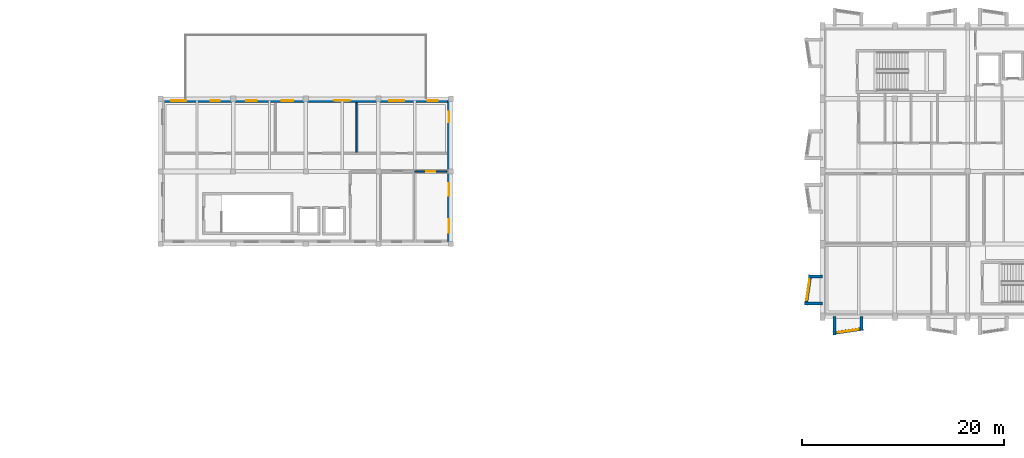
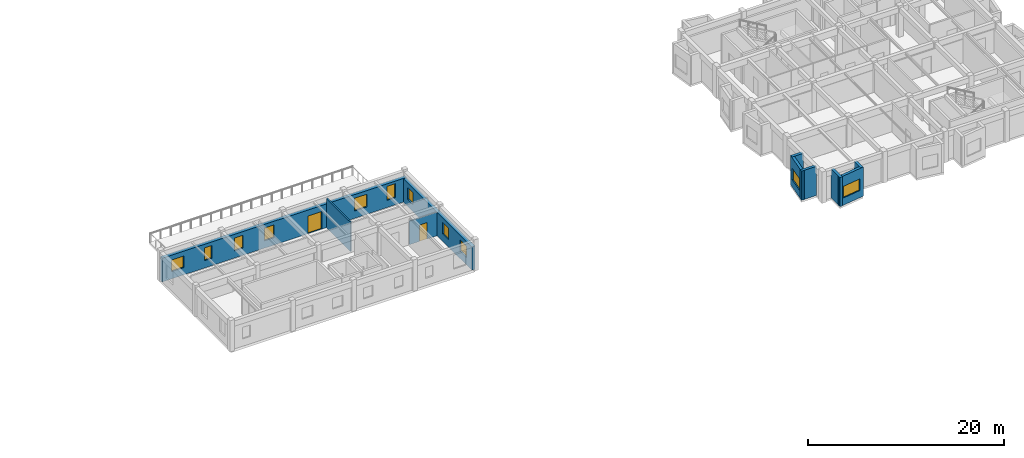
# One storey, part 5 of 12: 11 windows, 10 walls, 2 doors, 13 openings.
"""IFC4 building model written with IfcOpenShell, lengths in metres."""

import ifcopenshell
import ifcopenshell.guid

model = None  # the IFC model being written
_history = None  # IfcOwnerHistory: only IFC2X3 demands one
_inside = {}  # id of a spatial element -> (the spatial element, [elements in it])
_under = {}  # id of a project, library or spatial element -> (it, [spatial elements below it])
_declared = {}  # id of a project -> (the project, [libraries it declares])
_typed = {}  # id of a type object -> (the type object, [elements of that type])
_made_of = {}  # id of a material, layer set ... -> (it, [elements and type objects made of it])


def new_model(schema):
    """Start an empty IFC model of exactly this schema.

    Asked for "IFC4X3", IfcOpenShell would pick the latest addendum, in which some entities
    have other attributes; the version numbers below select the first issue.
    IFC2X3 requires an IfcOwnerHistory on every rooted entity: one is made here for all.
    """
    global model, _history
    if schema == "IFC4X3":
        model = ifcopenshell.file(schema_version=(4, 3, 0, 0))
    else:
        model = ifcopenshell.file(schema=schema)
    _inside.clear()
    _under.clear()
    _declared.clear()
    _typed.clear()
    _made_of.clear()
    _history = None
    if model.schema == "IFC2X3":
        org = make("IfcOrganization", Name="unknown")
        user = make(
            "IfcPersonAndOrganization",
            ThePerson=make("IfcPerson", FamilyName="unknown"),
            TheOrganization=org,
        )
        app = make(
            "IfcApplication",
            ApplicationDeveloper=org,
            Version="unknown",
            ApplicationFullName="unknown",
            ApplicationIdentifier="unknown",
        )
        _history = make(
            "IfcOwnerHistory",
            OwningUser=user,
            OwningApplication=app,
            ChangeAction="ADDED",
            CreationDate=0,
        )
    return model


def make(cls, **values):
    """One entity of the class cls with the attributes given. An attribute that is None is left unset."""
    return model.create_entity(
        cls, **{name: value for name, value in values.items() if value is not None}
    )


def rooted(cls, **values):
    """An entity with a GlobalId (a new one), such as an element, a storey or a relation."""
    return make(cls, GlobalId=ifcopenshell.guid.new(), OwnerHistory=_history, **values)


def si_unit(unit_type, name, prefix=None):
    """IfcSIUnit, for example si_unit("LENGTHUNIT", "METRE", prefix="MILLI")."""
    return make("IfcSIUnit", UnitType=unit_type, Prefix=prefix, Name=name)


def assignment(units):
    """IfcUnitAssignment: the units of a project."""
    return None if units is None else make("IfcUnitAssignment", Units=units)


def point(xyz):
    """IfcCartesianPoint."""
    return None if xyz is None else make("IfcCartesianPoint", Coordinates=xyz)


def direction(xyz):
    """IfcDirection."""
    return None if xyz is None else make("IfcDirection", DirectionRatios=xyz)


def frame(location, z_axis=None, x_axis=None):
    """IfcAxis2Placement3D, a coordinate frame: its origin and axes. An axis left out is left unset."""
    return make(
        "IfcAxis2Placement3D",
        Location=point(location),
        Axis=direction(z_axis),
        RefDirection=direction(x_axis),
    )


def frame_2d(location, x_axis=None):
    """IfcAxis2Placement2D, a coordinate frame in the plane: its origin and x axis."""
    return make(
        "IfcAxis2Placement2D", Location=point(location), RefDirection=direction(x_axis)
    )


def origin():
    """The frame at (0, 0, 0) with its axes left unset."""
    return frame((0.0, 0.0, 0.0))


def place(relative_to, where):
    """IfcLocalPlacement: puts the frame where relative to a parent placement (None: the world)."""
    return make(
        "IfcLocalPlacement", PlacementRelTo=relative_to, RelativePlacement=where
    )


def context(
    kind, dimensions, precision=None, world=None, true_north=None, identifier=None
):
    """IfcGeometricRepresentationContext, for example the 3D "Model" context."""
    return make(
        "IfcGeometricRepresentationContext",
        ContextIdentifier=identifier,
        ContextType=kind,
        CoordinateSpaceDimension=dimensions,
        Precision=precision,
        WorldCoordinateSystem=world,
        TrueNorth=true_north,
    )


def subcontext(parent, identifier, kind, view, scale=None):
    """IfcGeometricRepresentationSubContext, for example "Body" below "Model"."""
    return make(
        "IfcGeometricRepresentationSubContext",
        ContextIdentifier=identifier,
        ContextType=kind,
        ParentContext=parent,
        TargetScale=scale,
        TargetView=view,
    )


def project(units=None, contexts=None):
    """IfcProject with its units and contexts."""
    return rooted(
        "IfcProject",
        Name="project",
        RepresentationContexts=contexts,
        UnitsInContext=assignment(units),
    )


def spatial(cls, under=None, at=None, **own):
    """A site, building, storey or space (cls), placed at a placement, below another one or the project."""
    s = rooted(cls, ObjectPlacement=at, **own)
    if under is not None:
        _under.setdefault(under.id(), (under, []))[1].append(s)
    return s


def profile(cls, at=None, kind="AREA", **sizes):
    """A parametric profile (cls). Its sizes go by their IFC names, for example OverallWidth=200.0."""
    return make(cls, ProfileType=kind, Position=at, **sizes)


def rectangle(**sizes):
    """IfcRectangleProfileDef."""
    return profile("IfcRectangleProfileDef", **sizes)


def extrude(swept, where, along, depth):
    """IfcExtrudedAreaSolid: the profile swept, set in the frame where, extruded along a direction by depth."""
    return make(
        "IfcExtrudedAreaSolid",
        SweptArea=swept,
        Position=where,
        ExtrudedDirection=direction(along),
        Depth=depth,
    )


def shape(context_of_items, identifier, shape_type, items):
    """IfcShapeRepresentation: the items that make up one representation, for example the "Body"."""
    return make(
        "IfcShapeRepresentation",
        ContextOfItems=context_of_items,
        RepresentationIdentifier=identifier,
        RepresentationType=shape_type,
        Items=items,
    )


def material(Name=None, Category=None):
    """IfcMaterial."""
    return make("IfcMaterial", Name=Name, Category=Category)


def layer(
    of_material, thickness, ventilated=None, Name=None, Category=None, Priority=None
):
    """IfcMaterialLayer: one layer of a wall or slab, of a material (None: an air gap)."""
    return make(
        "IfcMaterialLayer",
        Material=of_material,
        LayerThickness=thickness,
        IsVentilated=ventilated,
        Name=Name,
        Category=Category,
        Priority=Priority,
    )


def layer_set(layers, Name=None):
    """IfcMaterialLayerSet."""
    return make("IfcMaterialLayerSet", MaterialLayers=layers, LayerSetName=Name)


def made_of(thing, what):
    """Note that an element or type object is made of a material, layer set ...; save() writes the relation."""
    if what is not None:
        _made_of.setdefault(what.id(), (what, []))[1].append(thing)
    return thing


def type_object(cls, material=None, **own):
    """A type object (cls), such as IfcWallType, which elements share."""
    return made_of(rooted(cls, **own), material)


def element(
    cls,
    number,
    at=None,
    inside=None,
    cuts=None,
    type_object=None,
    material=None,
    context=None,
    identifier="Body",
    shape_type=None,
    held_by="IfcProductDefinitionShape",
    body=None,
    shapes=None,
    **own,
):
    """One element of the class cls, such as IfcWall. Its Tag is "e" and its number.

    at: its placement. inside: the storey or other place that contains it. cuts: it is an
    opening in that element (IfcRelVoidsElement). A single representation is given by context,
    identifier, shape_type and body (its items); several are given by shapes. held_by: the class
    of the entity that holds the representations. save() writes the other relations.
    """
    e = rooted(cls, Tag="e%d" % number, ObjectPlacement=at, **own)
    if body is not None:
        shapes = [shape(context, identifier, shape_type, body)]
    if shapes is not None:
        e.Representation = make(held_by, Representations=shapes)
    if inside is not None:
        _inside.setdefault(inside.id(), (inside, []))[1].append(e)
    if cuts is not None:
        rooted(
            "IfcRelVoidsElement", RelatingBuildingElement=cuts, RelatedOpeningElement=e
        )
    if type_object is not None:
        _typed.setdefault(type_object.id(), (type_object, []))[1].append(e)
    return made_of(e, material)


def fill(opening, filler):
    """IfcRelFillsElement: the door or window that sits in an opening."""
    return rooted(
        "IfcRelFillsElement",
        RelatingOpeningElement=opening,
        RelatedBuildingElement=filler,
    )


def aggregate(whole, parts):
    """IfcRelAggregates: a whole, such as a stair, and the parts it consists of."""
    return rooted("IfcRelAggregates", RelatingObject=whole, RelatedObjects=parts)


def save(model, path):
    """Write the relations noted so far, then the file.

    IfcRelAggregates (storeys below a building ...), IfcRelContainedInSpatialStructure (elements
    in a storey), IfcRelDefinesByType, IfcRelAssociatesMaterial and IfcRelDeclares: one each for
    every whole, place, type object, material and project.
    """
    for whole, parts in _under.values():
        aggregate(whole, parts)
    for where, things in _inside.values():
        rooted(
            "IfcRelContainedInSpatialStructure",
            RelatedElements=things,
            RelatingStructure=where,
        )
    for kind, things in _typed.values():
        rooted("IfcRelDefinesByType", RelatedObjects=things, RelatingType=kind)
    for what, things in _made_of.values():
        rooted("IfcRelAssociatesMaterial", RelatedObjects=things, RelatingMaterial=what)
    for by, libraries in _declared.values():
        rooted("IfcRelDeclares", RelatingContext=by, RelatedDefinitions=libraries)
    model.write(path)


model = new_model("IFC4")

# Units and contexts
model_context = context("Model", 3, precision=1e-05, world=origin(), true_north=direction((0.0, 1.0)))
body_context = subcontext(model_context, "Body", "Model", "MODEL_VIEW")
ifc_project = project(units=[si_unit("LENGTHUNIT", "METRE"), si_unit("AREAUNIT", "SQUARE_METRE"), si_unit("VOLUMEUNIT", "CUBIC_METRE"), si_unit("PLANEANGLEUNIT", "RADIAN"), si_unit("MASSUNIT", "GRAM", prefix="KILO")], contexts=[model_context])

# Site, building, storey
site_placement = place(None, origin())
site = spatial("IfcSite", under=ifc_project, at=site_placement, CompositionType="ELEMENT")
building_placement = place(site_placement, origin())
building = spatial("IfcBuilding", under=site, at=building_placement, Name="Bramveld Media Centre", CompositionType="ELEMENT")
storey_placement = place(building_placement, frame((0.0, 0.0, 21.89990234375)))
storey = spatial("IfcBuildingStorey", under=building, at=storey_placement, Name="L05", CompositionType="ELEMENT", Elevation=21.89990234375)

# Wall, openings, windows
ifc_material_1 = material(Name="Flemish red-brown clay facing brick cavity wall with calcium-silicate backing", Category="masonry")
ifc_layer_1 = layer(ifc_material_1, 0.3798828125)
ifc_layer_set_1 = layer_set([ifc_layer_1], Name="Flemish red-brown clay facing brick cavity wall with calcium-silicate backing")
wall_type_1 = type_object("IfcWallType", Name="EW-BRK-380", PredefinedType="SOLIDWALL", material=ifc_layer_set_1)
wall_1_placement = place(storey_placement, frame((94.2099609375, 104.800048828125, 0.0), z_axis=(0.0, 0.0, 1.0), x_axis=(0.0, -1.0, 0.0)))
wall_1 = element("IfcWall", 1, at=wall_1_placement, inside=storey, type_object=wall_type_1, Name="V6 L05 E facing brick exterior wall", PredefinedType="SOLIDWALL", context=body_context, shape_type="SweptSolid", body=[
    extrude(rectangle(XDim=14.400146484375, YDim=0.3798828125, at=frame_2d((7.2001953125, 0.0))), origin(), (0.0, 0.0, 1.0), 2.9150390625),
])
opening_1_placement = place(wall_1_placement, frame((1.27490234375, 0.0, 0.89990234375)))
opening_1 = element("IfcOpeningElement", 2, at=opening_1_placement, cuts=wall_1, Name="Opening W-08", PredefinedType="OPENING", context=body_context, shape_type="SweptSolid", body=[
    extrude(rectangle(XDim=1.050048828125, YDim=1.449951171875, at=frame_2d((0.52490234375, 0.72509765625))), frame((0.0, 0.201904296875, 0.0), z_axis=(0.0, -1.0, 0.0), x_axis=(1.0, 0.0, 0.0)), (0.0, 0.0, 1.0), 0.40380859375),
])
opening_2_placement = place(wall_1_placement, frame((8.375, 0.0, 0.89990234375)))
opening_2 = element("IfcOpeningElement", 3, at=opening_2_placement, cuts=wall_1, Name="Opening W-10", PredefinedType="OPENING", context=body_context, shape_type="SweptSolid", body=[
    extrude(rectangle(XDim=1.25, YDim=1.449951171875, at=frame_2d((0.625, 0.72509765625))), frame((0.0, 0.201904296875, 0.0), z_axis=(0.0, -1.0, 0.0), x_axis=(1.0, 0.0, 0.0)), (0.0, 0.0, 1.0), 0.40380859375),
])
opening_3_placement = place(wall_1_placement, frame((11.925048828125, 0.0, 0.89990234375)))
opening_3 = element("IfcOpeningElement", 4, at=opening_3_placement, cuts=wall_1, Name="Opening W-11", PredefinedType="OPENING", context=body_context, shape_type="SweptSolid", body=[
    extrude(rectangle(XDim=1.35009765625, YDim=1.449951171875, at=frame_2d((0.675048828125, 0.72509765625))), frame((0.0, 0.201904296875, 0.0), z_axis=(0.0, -1.0, 0.0), x_axis=(1.0, 0.0, 0.0)), (0.0, 0.0, 1.0), 0.40380859375),
])
ifc_material_2 = material(Name="Thermally broken anodized bronze aluminium frame with triple acoustic glazing", Category="aluminium")
window_type_1 = type_object("IfcWindowType", Name="WIN-FAC-08", PartitioningType="SINGLE_PANEL", PredefinedType="WINDOW", material=ifc_material_2)
window_1_placement = place(opening_1_placement, origin())
window_1 = element("IfcWindow", 5, at=window_1_placement, inside=storey, type_object=window_type_1, Name="V6 L05 E acoustic facade window", OverallHeight=1.449951171875, OverallWidth=1.050048828125, PartitioningType="SINGLE_PANEL", PredefinedType="WINDOW", context=body_context, shape_type="SweptSolid", body=[
    extrude(rectangle(XDim=1.050048828125, YDim=1.449951171875, at=frame_2d((0.52490234375, 0.72509765625))), frame((0.0, 0.030029296875, 0.0), z_axis=(0.0, -1.0, 0.0), x_axis=(1.0, 0.0, 0.0)), (0.0, 0.0, 1.0), 0.06005859375),
])
fill(opening_1, window_1)
ifc_material_3 = material(Name="Thermally broken anodized bronze aluminium frame with triple acoustic glazing", Category="aluminium")
window_type_2 = type_object("IfcWindowType", Name="WIN-FAC-10", PartitioningType="SINGLE_PANEL", PredefinedType="WINDOW", material=ifc_material_3)
window_2_placement = place(opening_2_placement, origin())
window_2 = element("IfcWindow", 6, at=window_2_placement, inside=storey, type_object=window_type_2, Name="V6 L05 E acoustic facade window", OverallHeight=1.449951171875, OverallWidth=1.25, PartitioningType="SINGLE_PANEL", PredefinedType="WINDOW", context=body_context, shape_type="SweptSolid", body=[
    extrude(rectangle(XDim=1.25, YDim=1.449951171875, at=frame_2d((0.625, 0.72509765625))), frame((0.0, 0.030029296875, 0.0), z_axis=(0.0, -1.0, 0.0), x_axis=(1.0, 0.0, 0.0)), (0.0, 0.0, 1.0), 0.06005859375),
])
fill(opening_2, window_2)
ifc_material_4 = material(Name="Thermally broken anodized bronze aluminium frame with triple acoustic glazing", Category="aluminium")
window_type_3 = type_object("IfcWindowType", Name="WIN-FAC-11", PartitioningType="SINGLE_PANEL", PredefinedType="WINDOW", material=ifc_material_4)
window_3_placement = place(opening_3_placement, origin())
window_3 = element("IfcWindow", 7, at=window_3_placement, inside=storey, type_object=window_type_3, Name="V6 L05 E acoustic facade window", OverallHeight=1.449951171875, OverallWidth=1.35009765625, PartitioningType="SINGLE_PANEL", PredefinedType="WINDOW", context=body_context, shape_type="SweptSolid", body=[
    extrude(rectangle(XDim=1.35009765625, YDim=1.449951171875, at=frame_2d((0.675048828125, 0.72509765625))), frame((0.0, 0.030029296875, 0.0), z_axis=(0.0, -1.0, 0.0), x_axis=(1.0, 0.0, 0.0)), (0.0, 0.0, 1.0), 0.06005859375),
])
fill(opening_3, window_3)

# Wall, openings, door, windows
wall_2_placement = place(storey_placement, frame((65.60009765625, 104.610107421875, 0.0), z_axis=(0.0, 0.0, 1.0), x_axis=(1.0, 0.0, 0.0)))
wall_2 = element("IfcWall", 8, at=wall_2_placement, inside=storey, type_object=wall_type_1, Name="V6 L05 N facing brick exterior wall", PredefinedType="SOLIDWALL", context=body_context, shape_type="SweptSolid", body=[
    extrude(rectangle(XDim=28.7998046875, YDim=0.3798828125, at=frame_2d((14.39990234375, 0.0))), origin(), (0.0, 0.0, 1.0), 2.955078125),
])
opening_4_placement = place(wall_2_placement, frame((17.199951171875, 0.0, 0.0)))
opening_4 = element("IfcOpeningElement", 9, at=opening_4_placement, cuts=wall_2, Name="Opening TD-10", PredefinedType="OPENING", context=body_context, shape_type="SweptSolid", body=[
    extrude(rectangle(XDim=1.60009765625, YDim=2.199951171875, at=frame_2d((0.800048828125, 1.10009765625))), frame((0.0, 0.201904296875, 0.0), z_axis=(0.0, -1.0, 0.0), x_axis=(1.0, 0.0, 0.0)), (0.0, 0.0, 1.0), 0.40380859375),
])
opening_5_placement = place(wall_2_placement, frame((1.074951171875, 0.0, 0.89990234375)))
opening_5 = element("IfcOpeningElement", 10, at=opening_5_placement, cuts=wall_2, Name="Opening W-12", PredefinedType="OPENING", context=body_context, shape_type="SweptSolid", body=[
    extrude(rectangle(XDim=1.449951171875, YDim=1.449951171875, at=frame_2d((0.72509765625, 0.72509765625))), frame((0.0, 0.201904296875, 0.0), z_axis=(0.0, -1.0, 0.0), x_axis=(1.0, 0.0, 0.0)), (0.0, 0.0, 1.0), 0.40380859375),
])
opening_6_placement = place(wall_2_placement, frame((4.949951171875, 0.0, 0.89990234375)))
opening_6 = element("IfcOpeningElement", 11, at=opening_6_placement, cuts=wall_2, Name="Opening W-13", PredefinedType="OPENING", context=body_context, shape_type="SweptSolid", body=[
    extrude(rectangle(XDim=0.89990234375, YDim=1.60009765625, at=frame_2d((0.449951171875, 0.800048828125))), frame((0.0, 0.201904296875, 0.0), z_axis=(0.0, -1.0, 0.0), x_axis=(1.0, 0.0, 0.0)), (0.0, 0.0, 1.0), 0.40380859375),
])
opening_7_placement = place(wall_2_placement, frame((8.47509765625, 0.0, 0.89990234375)))
opening_7 = element("IfcOpeningElement", 12, at=opening_7_placement, cuts=wall_2, Name="Opening W-14", PredefinedType="OPENING", context=body_context, shape_type="SweptSolid", body=[
    extrude(rectangle(XDim=1.050048828125, YDim=1.60009765625, at=frame_2d((0.52490234375, 0.800048828125))), frame((0.0, 0.201904296875, 0.0), z_axis=(0.0, -1.0, 0.0), x_axis=(1.0, 0.0, 0.0)), (0.0, 0.0, 1.0), 0.40380859375),
])
opening_8_placement = place(wall_2_placement, frame((12.02490234375, 0.0, 0.89990234375)))
opening_8 = element("IfcOpeningElement", 13, at=opening_8_placement, cuts=wall_2, Name="Opening W-15", PredefinedType="OPENING", context=body_context, shape_type="SweptSolid", body=[
    extrude(rectangle(XDim=1.14990234375, YDim=1.60009765625, at=frame_2d((0.574951171875, 0.800048828125))), frame((0.0, 0.201904296875, 0.0), z_axis=(0.0, -1.0, 0.0), x_axis=(1.0, 0.0, 0.0)), (0.0, 0.0, 1.0), 0.40380859375),
])
opening_9_placement = place(wall_2_placement, frame((22.64990234375, 0.0, 0.89990234375)))
opening_9 = element("IfcOpeningElement", 14, at=opening_9_placement, cuts=wall_2, Name="Opening W-18", PredefinedType="OPENING", context=body_context, shape_type="SweptSolid", body=[
    extrude(rectangle(XDim=1.5, YDim=1.60009765625, at=frame_2d((0.75, 0.800048828125))), frame((0.0, 0.201904296875, 0.0), z_axis=(0.0, -1.0, 0.0), x_axis=(1.0, 0.0, 0.0)), (0.0, 0.0, 1.0), 0.40380859375),
])
opening_10_placement = place(wall_2_placement, frame((26.5, 0.0, 0.89990234375)))
opening_10 = element("IfcOpeningElement", 15, at=opening_10_placement, cuts=wall_2, Name="Opening W-19", PredefinedType="OPENING", context=body_context, shape_type="SweptSolid", body=[
    extrude(rectangle(XDim=1.0, YDim=1.75, at=frame_2d((0.5, 0.875))), frame((0.0, 0.201904296875, 0.0), z_axis=(0.0, -1.0, 0.0), x_axis=(1.0, 0.0, 0.0)), (0.0, 0.0, 1.0), 0.40380859375),
])
ifc_material_5 = material(Name="Insulated powder-coated bronze aluminium & laminated safety glass door", Category="aluminium")
door_type_1 = type_object("IfcDoorType", Name="DR-TER-1600", OperationType="NOTDEFINED", PredefinedType="DOOR", material=ifc_material_5)
door_1_placement = place(opening_4_placement, origin())
door_1 = element("IfcDoor", 16, at=door_1_placement, inside=storey, type_object=door_type_1, Name="Exterior door TD-10", OperationType="SINGLE_SWING_RIGHT", OverallHeight=2.199951171875, OverallWidth=1.60009765625, PredefinedType="DOOR", context=body_context, shape_type="SweptSolid", body=[
    extrude(rectangle(XDim=1.60009765625, YDim=2.199951171875, at=frame_2d((0.800048828125, 1.10009765625))), frame((0.0, 0.02490234375, 0.0), z_axis=(0.0, -1.0, 0.0), x_axis=(1.0, 0.0, 0.0)), (0.0, 0.0, 1.0), 0.050048828125),
])
fill(opening_4, door_1)
ifc_material_6 = material(Name="Thermally broken anodized bronze aluminium frame with triple acoustic glazing", Category="aluminium")
window_type_4 = type_object("IfcWindowType", Name="WIN-FAC-12", PartitioningType="SINGLE_PANEL", PredefinedType="WINDOW", material=ifc_material_6)
window_4_placement = place(opening_5_placement, origin())
window_4 = element("IfcWindow", 17, at=window_4_placement, inside=storey, type_object=window_type_4, Name="V6 L05 N acoustic facade window", OverallHeight=1.449951171875, OverallWidth=1.449951171875, PartitioningType="SINGLE_PANEL", PredefinedType="WINDOW", context=body_context, shape_type="SweptSolid", body=[
    extrude(rectangle(XDim=1.449951171875, YDim=1.449951171875, at=frame_2d((0.72509765625, 0.72509765625))), frame((0.0, 0.030029296875, 0.0), z_axis=(0.0, -1.0, 0.0), x_axis=(1.0, 0.0, 0.0)), (0.0, 0.0, 1.0), 0.06005859375),
])
fill(opening_5, window_4)
ifc_material_7 = material(Name="Thermally broken anodized bronze aluminium frame with triple acoustic glazing", Category="aluminium")
window_type_5 = type_object("IfcWindowType", Name="WIN-FAC-13", PartitioningType="SINGLE_PANEL", PredefinedType="WINDOW", material=ifc_material_7)
window_5_placement = place(opening_6_placement, origin())
window_5 = element("IfcWindow", 18, at=window_5_placement, inside=storey, type_object=window_type_5, Name="V6 L05 N acoustic facade window", OverallHeight=1.60009765625, OverallWidth=0.89990234375, PartitioningType="SINGLE_PANEL", PredefinedType="WINDOW", context=body_context, shape_type="SweptSolid", body=[
    extrude(rectangle(XDim=0.89990234375, YDim=1.60009765625, at=frame_2d((0.449951171875, 0.800048828125))), frame((0.0, 0.030029296875, 0.0), z_axis=(0.0, -1.0, 0.0), x_axis=(1.0, 0.0, 0.0)), (0.0, 0.0, 1.0), 0.06005859375),
])
fill(opening_6, window_5)
ifc_material_8 = material(Name="Thermally broken anodized bronze aluminium frame with triple acoustic glazing", Category="aluminium")
window_type_6 = type_object("IfcWindowType", Name="WIN-FAC-14", PartitioningType="SINGLE_PANEL", PredefinedType="WINDOW", material=ifc_material_8)
window_6_placement = place(opening_7_placement, origin())
window_6 = element("IfcWindow", 19, at=window_6_placement, inside=storey, type_object=window_type_6, Name="V6 L05 N acoustic facade window", OverallHeight=1.60009765625, OverallWidth=1.050048828125, PartitioningType="SINGLE_PANEL", PredefinedType="WINDOW", context=body_context, shape_type="SweptSolid", body=[
    extrude(rectangle(XDim=1.050048828125, YDim=1.60009765625, at=frame_2d((0.52490234375, 0.800048828125))), frame((0.0, 0.030029296875, 0.0), z_axis=(0.0, -1.0, 0.0), x_axis=(1.0, 0.0, 0.0)), (0.0, 0.0, 1.0), 0.06005859375),
])
fill(opening_7, window_6)
ifc_material_9 = material(Name="Thermally broken anodized bronze aluminium frame with triple acoustic glazing", Category="aluminium")
window_type_7 = type_object("IfcWindowType", Name="WIN-FAC-15", PartitioningType="SINGLE_PANEL", PredefinedType="WINDOW", material=ifc_material_9)
window_7_placement = place(opening_8_placement, origin())
window_7 = element("IfcWindow", 20, at=window_7_placement, inside=storey, type_object=window_type_7, Name="V6 L05 N acoustic facade window", OverallHeight=1.60009765625, OverallWidth=1.14990234375, PartitioningType="SINGLE_PANEL", PredefinedType="WINDOW", context=body_context, shape_type="SweptSolid", body=[
    extrude(rectangle(XDim=1.14990234375, YDim=1.60009765625, at=frame_2d((0.574951171875, 0.800048828125))), frame((0.0, 0.030029296875, 0.0), z_axis=(0.0, -1.0, 0.0), x_axis=(1.0, 0.0, 0.0)), (0.0, 0.0, 1.0), 0.06005859375),
])
fill(opening_8, window_7)
ifc_material_10 = material(Name="Thermally broken anodized bronze aluminium frame with triple acoustic glazing", Category="aluminium")
window_type_8 = type_object("IfcWindowType", Name="WIN-FAC-18", PartitioningType="SINGLE_PANEL", PredefinedType="WINDOW", material=ifc_material_10)
window_8_placement = place(opening_9_placement, origin())
window_8 = element("IfcWindow", 21, at=window_8_placement, inside=storey, type_object=window_type_8, Name="V6 L05 N acoustic facade window", OverallHeight=1.60009765625, OverallWidth=1.5, PartitioningType="SINGLE_PANEL", PredefinedType="WINDOW", context=body_context, shape_type="SweptSolid", body=[
    extrude(rectangle(XDim=1.5, YDim=1.60009765625, at=frame_2d((0.75, 0.800048828125))), frame((0.0, 0.030029296875, 0.0), z_axis=(0.0, -1.0, 0.0), x_axis=(1.0, 0.0, 0.0)), (0.0, 0.0, 1.0), 0.06005859375),
])
fill(opening_9, window_8)
ifc_material_11 = material(Name="Thermally broken anodized bronze aluminium frame with triple acoustic glazing", Category="aluminium")
window_type_9 = type_object("IfcWindowType", Name="WIN-FAC-19", PartitioningType="SINGLE_PANEL", PredefinedType="WINDOW", material=ifc_material_11)
window_9_placement = place(opening_10_placement, origin())
window_9 = element("IfcWindow", 22, at=window_9_placement, inside=storey, type_object=window_type_9, Name="V6 L05 N acoustic facade window", OverallHeight=1.75, OverallWidth=1.0, PartitioningType="SINGLE_PANEL", PredefinedType="WINDOW", context=body_context, shape_type="SweptSolid", body=[
    extrude(rectangle(XDim=1.0, YDim=1.75, at=frame_2d((0.5, 0.875))), frame((0.0, 0.030029296875, 0.0), z_axis=(0.0, -1.0, 0.0), x_axis=(1.0, 0.0, 0.0)), (0.0, 0.0, 1.0), 0.06005859375),
])
fill(opening_10, window_9)

# Wall, opening, window
ifc_material_12 = material(Name="Precast concrete C40/50 & brick-slip faceted bay cheek wall", Category="masonry")
ifc_layer_2 = layer(ifc_material_12, 0.320068359375)
ifc_layer_set_2 = layer_set([ifc_layer_2], Name="Precast concrete C40/50 & brick-slip faceted bay cheek wall")
wall_type_2 = type_object("IfcWallType", Name="EW-FACET-320", PredefinedType="SOLIDWALL", material=ifc_layer_set_2)
wall_3_placement = place(storey_placement, frame((132.25, 81.56689453125, 0.0), z_axis=(0.0, 0.0, 1.0), x_axis=(0.989266910268, 0.146119746268, 0.0)))
wall_3 = element("IfcWall", 23, at=wall_3_placement, inside=storey, type_object=wall_type_2, Name="V7 L05 S angled faceted bay front wall 1", PredefinedType="SOLIDWALL", context=body_context, shape_type="SweptSolid", body=[
    extrude(rectangle(XDim=3.032470703125, YDim=0.320068359375, at=frame_2d((1.51611328125, 0.0))), origin(), (0.0, 0.0, 1.0), 3.64013671875),
])
opening_11_placement = place(wall_3_placement, frame((0.46630859375, 0.0, 0.89990234375)))
opening_11 = element("IfcOpeningElement", 24, at=opening_11_placement, cuts=wall_3, Name="Opening W-28", PredefinedType="OPENING", context=body_context, shape_type="SweptSolid", body=[
    extrude(rectangle(XDim=2.10009765625, YDim=1.449951171875, at=frame_2d((1.050048828125, 0.72509765625))), frame((0.0, 0.171875, 0.0), z_axis=(0.0, -1.0, 0.0), x_axis=(1.0, 0.0, 0.0)), (0.0, 0.0, 1.0), 0.343994140625),
])
ifc_material_13 = material(Name="Thermally broken anodized bronze aluminium frame with triple acoustic glazing", Category="aluminium")
window_type_10 = type_object("IfcWindowType", Name="WIN-FAC-28", PartitioningType="SINGLE_PANEL", PredefinedType="WINDOW", material=ifc_material_13)
window_10_placement = place(opening_11_placement, origin())
window_10 = element("IfcWindow", 25, at=window_10_placement, inside=storey, type_object=window_type_10, Name="V7 L05 S faceted bay window 1", OverallHeight=1.449951171875, OverallWidth=2.10009765625, PartitioningType="SINGLE_PANEL", PredefinedType="WINDOW", context=body_context, shape_type="SweptSolid", body=[
    extrude(rectangle(XDim=2.10009765625, YDim=1.449951171875, at=frame_2d((1.050048828125, 0.72509765625))), frame((0.0, 0.030029296875, 0.0), z_axis=(0.0, -1.0, 0.0), x_axis=(1.0, 0.0, 0.0)), (0.0, 0.0, 1.0), 0.06005859375),
])
fill(opening_11, window_10)

# Walls
wall_4_placement = place(storey_placement, frame((132.409912109375, 83.199951171875, 0.0), z_axis=(0.0, 0.0, 1.0), x_axis=(0.0, -1.0, 0.0)))
element("IfcWall", 26, at=wall_4_placement, inside=storey, type_object=wall_type_2, Name="V7 L05 S faceted bay cheek wall", PredefinedType="SOLIDWALL", context=body_context, shape_type="SweptSolid", body=[
    extrude(rectangle(XDim=1.79296875, YDim=0.320068359375, at=frame_2d((0.896484375, 0.0))), origin(), (0.0, 0.0, 1.0), 3.64013671875),
])
wall_5_placement = place(storey_placement, frame((135.090087890625, 83.199951171875, 0.0), z_axis=(0.0, 0.0, 1.0), x_axis=(0.0, -1.0, 0.0)))
element("IfcWall", 27, at=wall_5_placement, inside=storey, type_object=wall_type_2, Name="V7 L05 S faceted bay cheek wall", PredefinedType="SOLIDWALL", context=body_context, shape_type="SweptSolid", body=[
    extrude(rectangle(XDim=1.349853515625, YDim=0.320068359375, at=frame_2d((0.6748046875, 0.0))), origin(), (0.0, 0.0, 1.0), 3.64013671875),
])

# Wall, opening, window
wall_6_placement = place(storey_placement, frame((130.010009765625, 87.35009765625, 0.0), z_axis=(0.0, 0.0, 1.0), x_axis=(-0.146119746268, -0.989266910268, 0.0)))
wall_6 = element("IfcWall", 28, at=wall_6_placement, inside=storey, type_object=wall_type_2, Name="V7 L05 W angled faceted bay front wall 1", PredefinedType="SOLIDWALL", context=body_context, shape_type="SweptSolid", body=[
    extrude(rectangle(XDim=3.032470703125, YDim=0.320068359375, at=frame_2d((1.51611328125, 0.0))), origin(), (0.0, 0.0, 1.0), 3.64013671875),
])
opening_12_placement = place(wall_6_placement, frame((0.46630859375, 0.0, 0.89990234375)))
opening_12 = element("IfcOpeningElement", 29, at=opening_12_placement, cuts=wall_6, Name="Opening W-28", PredefinedType="OPENING", context=body_context, shape_type="SweptSolid", body=[
    extrude(rectangle(XDim=2.10009765625, YDim=1.449951171875, at=frame_2d((1.050048828125, 0.72509765625))), frame((0.0, 0.171875, 0.0), z_axis=(0.0, -1.0, 0.0), x_axis=(1.0, 0.0, 0.0)), (0.0, 0.0, 1.0), 0.343994140625),
])
window_11_placement = place(opening_12_placement, origin())
window_11 = element("IfcWindow", 30, at=window_11_placement, inside=storey, type_object=window_type_10, Name="V7 L05 W faceted bay window 1", OverallHeight=1.449951171875, OverallWidth=2.10009765625, PartitioningType="SINGLE_PANEL", PredefinedType="WINDOW", context=body_context, shape_type="SweptSolid", body=[
    extrude(rectangle(XDim=2.10009765625, YDim=1.449951171875, at=frame_2d((1.050048828125, 0.72509765625))), frame((0.0, 0.030029296875, 0.0), z_axis=(0.0, -1.0, 0.0), x_axis=(1.0, 0.0, 0.0)), (0.0, 0.0, 1.0), 0.06005859375),
])
fill(opening_12, window_11)

# Walls
wall_7_placement = place(storey_placement, frame((131.199951171875, 84.510009765625, 0.0), z_axis=(0.0, 0.0, 1.0), x_axis=(-1.0, 0.0, 0.0)))
element("IfcWall", 31, at=wall_7_placement, inside=storey, type_object=wall_type_2, Name="V7 L05 W faceted bay cheek wall", PredefinedType="SOLIDWALL", context=body_context, shape_type="SweptSolid", body=[
    extrude(rectangle(XDim=1.79296875, YDim=0.320068359375, at=frame_2d((0.896484375, 0.0))), origin(), (0.0, 0.0, 1.0), 3.64013671875),
])
wall_8_placement = place(storey_placement, frame((131.199951171875, 87.18994140625, 0.0), z_axis=(0.0, 0.0, 1.0), x_axis=(-1.0, 0.0, 0.0)))
element("IfcWall", 32, at=wall_8_placement, inside=storey, type_object=wall_type_2, Name="V7 L05 W faceted bay cheek wall", PredefinedType="SOLIDWALL", context=body_context, shape_type="SweptSolid", body=[
    extrude(rectangle(XDim=1.349853515625, YDim=0.320068359375, at=frame_2d((0.6748046875, 0.0))), origin(), (0.0, 0.0, 1.0), 3.64013671875),
])
ifc_material_14 = material(Name="Insulated metal-stud gypsum room partition", Category="gypsum")
ifc_layer_3 = layer(ifc_material_14, 0.14990234375)
ifc_layer_set_3 = layer_set([ifc_layer_3], Name="Insulated metal-stud gypsum room partition")
wall_type_3 = type_object("IfcWallType", Name="IW-PART-150", PredefinedType="PARTITIONING", material=ifc_layer_set_3)
wall_9_placement = place(storey_placement, frame((85.0, 99.5, 0.0), z_axis=(0.0, 0.0, 1.0), x_axis=(0.0, 1.0, 0.0)))
element("IfcWall", 33, at=wall_9_placement, inside=storey, type_object=wall_type_3, Name="Sound Archive Listening Studio partition wall", PredefinedType="PARTITIONING", context=body_context, shape_type="SweptSolid", body=[
    extrude(rectangle(XDim=4.89990234375, YDim=0.14990234375, at=frame_2d((2.449951171875, 0.0))), origin(), (0.0, 0.0, 1.0), 3.66015625),
])

# Wall, opening, door
ifc_material_15 = material(Name="Moisture-resistant cement-board sanitary partition", Category="gypsum")
ifc_layer_4 = layer(ifc_material_15, 0.139892578125)
ifc_layer_set_4 = layer_set([ifc_layer_4], Name="Moisture-resistant cement-board sanitary partition")
wall_type_4 = type_object("IfcWallType", Name="IW-WET-140", PredefinedType="PARTITIONING", material=ifc_layer_set_4)
wall_10_placement = place(storey_placement, frame((90.780029296875, 97.60009765625, 0.0), z_axis=(0.0, 0.0, 1.0), x_axis=(1.0, 0.0, 0.0)))
wall_10 = element("IfcWall", 34, at=wall_10_placement, inside=storey, type_object=wall_type_4, Name="Female WC partition wall", PredefinedType="PARTITIONING", context=body_context, shape_type="SweptSolid", body=[
    extrude(rectangle(XDim=3.219970703125, YDim=0.139892578125, at=frame_2d((1.60986328125, 0.0))), origin(), (0.0, 0.0, 1.0), 2.93505859375),
])
opening_13_placement = place(wall_10_placement, frame((1.1650390625, 0.0, 0.0)))
opening_13 = element("IfcOpeningElement", 35, at=opening_13_placement, cuts=wall_10, Name="Opening D-05-192", PredefinedType="OPENING", context=body_context, shape_type="SweptSolid", body=[
    extrude(rectangle(XDim=0.889892578125, YDim=2.050048828125, at=frame_2d((0.44482421875, 1.02490234375))), frame((0.0, 0.08203125, 0.0), z_axis=(0.0, -1.0, 0.0), x_axis=(1.0, 0.0, 0.0)), (0.0, 0.0, 1.0), 0.163818359375),
])
ifc_material_16 = material(Name="Solid-core European oak acoustic timber leaf in steel frame", Category="steel")
door_type_2 = type_object("IfcDoorType", Name="DR-WC-0890", OperationType="NOTDEFINED", PredefinedType="DOOR", material=ifc_material_16)
door_2_placement = place(opening_13_placement, origin())
door_2 = element("IfcDoor", 36, at=door_2_placement, inside=storey, type_object=door_type_2, Name="Female WC entrance door", OperationType="SINGLE_SWING_RIGHT", OverallHeight=2.050048828125, OverallWidth=0.889892578125, PredefinedType="DOOR", context=body_context, shape_type="SweptSolid", body=[
    extrude(rectangle(XDim=0.889892578125, YDim=2.050048828125, at=frame_2d((0.44482421875, 1.02490234375))), frame((0.0, 0.02490234375, 0.0), z_axis=(0.0, -1.0, 0.0), x_axis=(1.0, 0.0, 0.0)), (0.0, 0.0, 1.0), 0.050048828125),
])
fill(opening_13, door_2)

save(model, "model.ifc")
